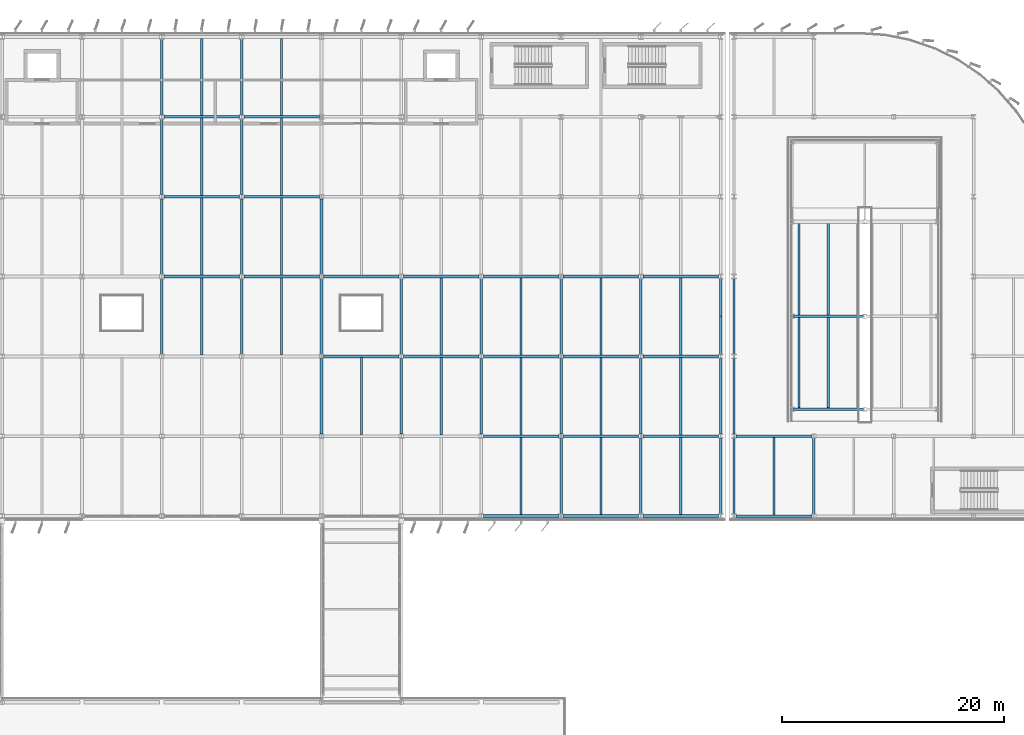
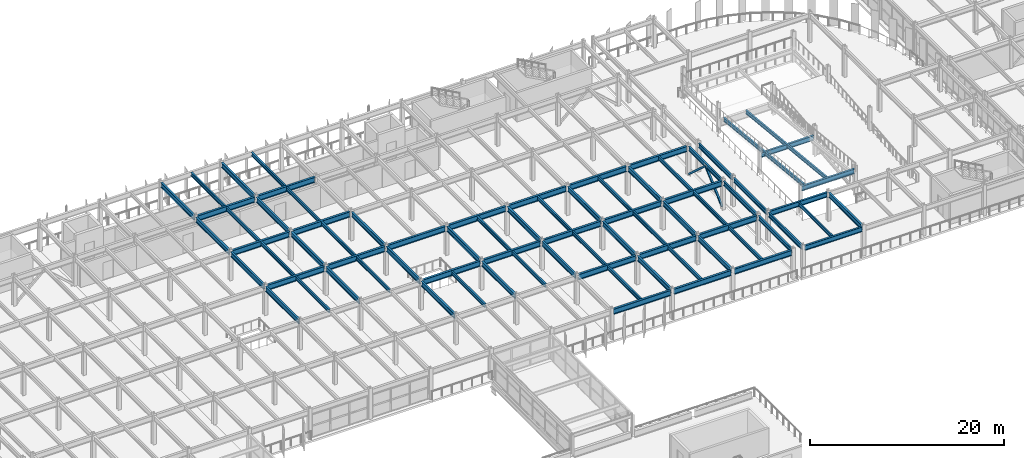
# One storey, part 29 of 93: 77 beams, 2 members.
"""IFC4 building model written with IfcOpenShell, lengths in metres."""

from ifc_helpers import new_model, si_unit, direction, frame, origin, origin_2d, place, context, subcontext, project, spatial, hollow_rectangle, i_section, extrude, material, material_profile, profile_set, type_object, element, save


model = new_model("IFC4")

# Units and contexts
model_context = context("Model", 3, precision=1e-05, world=origin(), true_north=direction((0.0, 1.0)))
body_context = subcontext(model_context, "Body", "Model", "MODEL_VIEW")
ifc_project = project(units=[si_unit("LENGTHUNIT", "METRE"), si_unit("AREAUNIT", "SQUARE_METRE"), si_unit("VOLUMEUNIT", "CUBIC_METRE"), si_unit("PLANEANGLEUNIT", "RADIAN"), si_unit("MASSUNIT", "GRAM", prefix="KILO")], contexts=[model_context])

# Site, building, storey
site_placement = place(None, origin())
site = spatial("IfcSite", under=ifc_project, at=site_placement, CompositionType="ELEMENT")
building_placement = place(site_placement, origin())
building = spatial("IfcBuilding", under=site, at=building_placement, Name="Vaelcorin Mobility Hub", CompositionType="ELEMENT")
storey_placement = place(building_placement, frame((0.0, 0.0, 5.39990234375)))
storey = spatial("IfcBuildingStorey", under=building, at=storey_placement, Name="L01", CompositionType="ELEMENT", Elevation=5.39990234375)

# Beams
ifc_material_1 = material(Name="Steel ASTM A992 Grade 50", Category="steel")
ifc_material_profile_1 = material_profile(ifc_material_1, i_section(OverallWidth=0.152099609375, OverallDepth=0.455078125, WebThickness=0.008056640625, FlangeThickness=0.01318359375, FilletRadius=0.012939453125, at=origin_2d()), Name="W18X40")
ifc_profile_set_1 = profile_set([ifc_material_profile_1], Name="Steel ASTM A992 Grade 50")
beam_type_1 = type_object("IfcBeamType", Name="BM-W18X40", PredefinedType="JOIST", material=ifc_profile_set_1)
beam_1_placement = place(storey_placement, frame((127.199951171875, 76.912109375, 3.423095703125), z_axis=(0.0, 1.0, 0.0), x_axis=(-1.0, 0.0, 0.0)))
element("IfcBeam", 1, at=beam_1_placement, inside=storey, type_object=beam_type_1, Name="L01 Beam V2E-L01-J-01-01-1", PredefinedType="JOIST", context=body_context, shape_type="SweptSolid", body=[
    extrude(i_section(OverallWidth=0.152099609375, OverallDepth=0.455078125, WebThickness=0.008056640625, FlangeThickness=0.01318359375, FilletRadius=0.012939453125, at=origin_2d()), origin(), (0.0, 0.0, 1.0), 6.975830078125),
])
ifc_material_profile_2 = material_profile(ifc_material_1, i_section(OverallWidth=0.19091796875, OverallDepth=0.4599609375, WebThickness=0.010009765625, FlangeThickness=0.01611328125, FilletRadius=0.012939453125, at=origin_2d()), Name="W18X55")
ifc_profile_set_2 = profile_set([ifc_material_profile_2], Name="Steel ASTM A992 Grade 50")
beam_type_2 = type_object("IfcBeamType", Name="BM-W18X55", PredefinedType="JOIST", material=ifc_profile_set_2)
for number, where, z_axis, x_axis, name in (
    (2, (129.449951171875, 103.239990234375, 1.570068359375), (0.0, -0.994876014241, 0.10110250387), (1.0, 0.0, 0.0), "Vehicle Ramp VR-2 L01 Flight 2 Stringer 1"),
    (3, (132.10009765625, 103.239990234375, 1.570068359375), (0.0, -0.994876014241, 0.10110250387), (1.0, 0.0, 0.0), "Vehicle Ramp VR-2 L01 Flight 2 Stringer 2"),
):
    element("IfcBeam", number, at=place(storey_placement, frame(where, z_axis=z_axis, x_axis=x_axis)), inside=storey, type_object=beam_type_2, Name=name, PredefinedType="JOIST", context=body_context, shape_type="SweptSolid", body=[
        extrude(i_section(OverallWidth=0.19091796875, OverallDepth=0.4599609375, WebThickness=0.010009765625, FlangeThickness=0.01611328125, FilletRadius=0.012939453125, at=origin_2d()), origin(), (0.0, 0.0, 1.0), 16.765869140625),
    ])
ifc_material_profile_3 = material_profile(ifc_material_1, i_section(OverallWidth=0.19189453125, OverallDepth=0.4619140625, WebThickness=0.010498046875, FlangeThickness=0.017578125, FilletRadius=0.012939453125, at=origin_2d()), Name="W18X60")
ifc_profile_set_3 = profile_set([ifc_material_profile_3], Name="Steel ASTM A992 Grade 50")
beam_type_3 = type_object("IfcBeamType", Name="BM-W18X60", PredefinedType="JOIST", material=ifc_profile_set_3)
beam_2_placement = place(storey_placement, frame((75.60009765625, 91.324951171875, 3.439208984375), z_axis=(0.0, 1.0, 0.0), x_axis=(-1.0, 0.0, 0.0)))
element("IfcBeam", 4, at=beam_2_placement, inside=storey, type_object=beam_type_3, Name="L01 Beam V4-L01-J-06-03-1", PredefinedType="JOIST", context=body_context, shape_type="SweptSolid", body=[
    extrude(i_section(OverallWidth=0.19189453125, OverallDepth=0.4619140625, WebThickness=0.010498046875, FlangeThickness=0.017578125, FilletRadius=0.012939453125, at=origin_2d()), origin(), (0.0, 0.0, 1.0), 6.949951171875),
])
beam_3_placement = place(storey_placement, frame((75.60009765625, 98.52490234375, 3.439208984375), z_axis=(0.0, 1.0, 0.0), x_axis=(-1.0, 0.0, 0.0)))
element("IfcBeam", 5, at=beam_3_placement, inside=storey, type_object=beam_type_3, Name="L01 Beam V4-L01-J-06-04-1", PredefinedType="JOIST", context=body_context, shape_type="SweptSolid", body=[
    extrude(i_section(OverallWidth=0.19189453125, OverallDepth=0.4619140625, WebThickness=0.010498046875, FlangeThickness=0.017578125, FilletRadius=0.012939453125, at=origin_2d()), origin(), (0.0, 0.0, 1.0), 6.9501953125),
])
for number, where, z_axis, x_axis, name in (
    (6, (75.60009765625, 105.72509765625, 3.439208984375), (0.0, 1.0, 0.0), (-1.0, 0.0, 0.0), "L01 Beam V4-L01-J-06-05-1"),
    (7, (75.60009765625, 112.925048828125, 3.439208984375), (0.0, 1.0, 0.0), (-1.0, 0.0, 0.0), "L01 Beam V4-L01-J-06-06-1"),
    (8, (82.800048828125, 91.324951171875, 3.439208984375), (0.0, 1.0, 0.0), (-1.0, 0.0, 0.0), "L01 Beam V4-L01-J-07-03-1"),
):
    element("IfcBeam", number, at=place(storey_placement, frame(where, z_axis=z_axis, x_axis=x_axis)), inside=storey, type_object=beam_type_3, Name=name, PredefinedType="JOIST", context=body_context, shape_type="SweptSolid", body=[
        extrude(i_section(OverallWidth=0.19189453125, OverallDepth=0.4619140625, WebThickness=0.010498046875, FlangeThickness=0.017578125, FilletRadius=0.012939453125, at=origin_2d()), origin(), (0.0, 0.0, 1.0), 6.949951171875),
    ])
beam_4_placement = place(storey_placement, frame((82.800048828125, 98.52490234375, 3.439208984375), z_axis=(0.0, 1.0, 0.0), x_axis=(-1.0, 0.0, 0.0)))
element("IfcBeam", 9, at=beam_4_placement, inside=storey, type_object=beam_type_3, Name="L01 Beam V4-L01-J-07-04-1", PredefinedType="JOIST", context=body_context, shape_type="SweptSolid", body=[
    extrude(i_section(OverallWidth=0.19189453125, OverallDepth=0.4619140625, WebThickness=0.010498046875, FlangeThickness=0.017578125, FilletRadius=0.012939453125, at=origin_2d()), origin(), (0.0, 0.0, 1.0), 6.9501953125),
])
for number, where, z_axis, x_axis, name in (
    (10, (82.800048828125, 105.72509765625, 3.439208984375), (0.0, 1.0, 0.0), (-1.0, 0.0, 0.0), "L01 Beam V4-L01-J-07-05-1"),
    (11, (82.800048828125, 112.925048828125, 3.439208984375), (0.0, 1.0, 0.0), (-1.0, 0.0, 0.0), "L01 Beam V4-L01-J-07-06-1"),
    (12, (90.0, 84.125, 3.439208984375), (0.0, 1.0, 0.0), (-1.0, 0.0, 0.0), "L01 Beam V4-L01-J-08-02-1"),
    (13, (97.199951171875, 84.125, 3.439208984375), (0.0, 1.0, 0.0), (-1.0, 0.0, 0.0), "L01 Beam V4-L01-J-09-02-1"),
    (14, (97.199951171875, 91.324951171875, 3.439208984375), (0.0, 1.0, 0.0), (-1.0, 0.0, 0.0), "L01 Beam V4-L01-J-09-03-1"),
    (15, (104.39990234375, 76.925048828125, 3.439208984375), (0.0, 1.0, 0.0), (-1.0, 0.0, 0.0), "L01 Beam V4-L01-J-10-01-1"),
    (16, (104.39990234375, 84.125, 3.439208984375), (0.0, 1.0, 0.0), (-1.0, 0.0, 0.0), "L01 Beam V4-L01-J-10-02-1"),
    (17, (104.39990234375, 91.324951171875, 3.439208984375), (0.0, 1.0, 0.0), (-1.0, 0.0, 0.0), "L01 Beam V4-L01-J-10-03-1"),
    (18, (111.60009765625, 76.925048828125, 3.439208984375), (0.0, 1.0, 0.0), (-1.0, 0.0, 0.0), "L01 Beam V4-L01-J-11-01-1"),
    (19, (111.60009765625, 84.125, 3.439208984375), (0.0, 1.0, 0.0), (-1.0, 0.0, 0.0), "L01 Beam V4-L01-J-11-02-1"),
    (20, (111.60009765625, 91.324951171875, 3.439208984375), (0.0, 1.0, 0.0), (-1.0, 0.0, 0.0), "L01 Beam V4-L01-J-11-03-1"),
    (21, (118.800048828125, 76.925048828125, 3.439208984375), (0.0, 1.0, 0.0), (-1.0, 0.0, 0.0), "L01 Beam V4-L01-J-12-01-1"),
    (22, (118.800048828125, 84.125, 3.439208984375), (0.0, 1.0, 0.0), (-1.0, 0.0, 0.0), "L01 Beam V4-L01-J-12-02-1"),
    (23, (118.800048828125, 91.324951171875, 3.439208984375), (0.0, 1.0, 0.0), (-1.0, 0.0, 0.0), "L01 Beam V4-L01-J-12-03-1"),
):
    element("IfcBeam", number, at=place(storey_placement, frame(where, z_axis=z_axis, x_axis=x_axis)), inside=storey, type_object=beam_type_3, Name=name, PredefinedType="JOIST", context=body_context, shape_type="SweptSolid", body=[
        extrude(i_section(OverallWidth=0.19189453125, OverallDepth=0.4619140625, WebThickness=0.010498046875, FlangeThickness=0.017578125, FilletRadius=0.012939453125, at=origin_2d()), origin(), (0.0, 0.0, 1.0), 6.949951171875),
    ])
ifc_material_profile_4 = material_profile(ifc_material_1, i_section(OverallWidth=0.2099609375, OverallDepth=0.535888671875, WebThickness=0.010986328125, FlangeThickness=0.017333984375, FilletRadius=0.013916015625, at=origin_2d()), Name="W21X68")
ifc_profile_set_4 = profile_set([ifc_material_profile_4], Name="Steel ASTM A992 Grade 50")
beam_type_4 = type_object("IfcBeamType", Name="BM-W21X68", PredefinedType="SPANDREL", material=ifc_profile_set_4)
for number, where, z_axis, x_axis, name in (
    (24, (122.39990234375, 76.988037109375, 3.402099609375), (0.0, 1.0, 0.0), (-1.0, 0.0, 0.0), "L01 Beam V4-L01-GY-13-01"),
    (25, (122.39990234375, 84.195068359375, 3.402099609375), (0.0, 1.0, 0.0), (-1.0, 0.0, 0.0), "L01 Beam V4-L01-GY-13-02"),
):
    element("IfcBeam", number, at=place(storey_placement, frame(where, z_axis=z_axis, x_axis=x_axis)), inside=storey, type_object=beam_type_4, Name=name, PredefinedType="SPANDREL", context=body_context, shape_type="SweptSolid", body=[
        extrude(i_section(OverallWidth=0.2099609375, OverallDepth=0.535888671875, WebThickness=0.010986328125, FlangeThickness=0.017333984375, FilletRadius=0.013916015625, at=origin_2d()), origin(), (0.0, 0.0, 1.0), 6.81689453125),
    ])
beam_5_placement = place(storey_placement, frame((122.39990234375, 91.388916015625, 3.402099609375), z_axis=(0.0, 1.0, 0.0), x_axis=(-1.0, 0.0, 0.0)))
element("IfcBeam", 26, at=beam_5_placement, inside=storey, type_object=beam_type_4, Name="L01 Beam V4-L01-GY-13-03", PredefinedType="SPANDREL", context=body_context, shape_type="SweptSolid", body=[
    extrude(i_section(OverallWidth=0.2099609375, OverallDepth=0.535888671875, WebThickness=0.010986328125, FlangeThickness=0.017333984375, FilletRadius=0.013916015625, at=origin_2d()), origin(), (0.0, 0.0, 1.0), 6.822998046875),
])
for number, where, z_axis, x_axis, name in (
    (27, (123.60009765625, 76.98388671875, 3.382080078125), (0.0, 1.0, 0.0), (-1.0, 0.0, 0.0), "L01 Beam V2E-L01-GY-01-01"),
    (28, (123.60009765625, 84.18408203125, 3.382080078125), (0.0, 1.0, 0.0), (-1.0, 0.0, 0.0), "L01 Beam V2E-L01-GY-01-02"),
    (29, (123.60009765625, 91.384033203125, 3.382080078125), (0.0, 1.0, 0.0), (-1.0, 0.0, 0.0), "L01 Beam V2E-L01-GY-01-03"),
):
    element("IfcBeam", number, at=place(storey_placement, frame(where, z_axis=z_axis, x_axis=x_axis)), inside=storey, type_object=beam_type_4, Name=name, PredefinedType="SPANDREL", context=body_context, shape_type="SweptSolid", body=[
        extrude(i_section(OverallWidth=0.2099609375, OverallDepth=0.535888671875, WebThickness=0.010986328125, FlangeThickness=0.017333984375, FilletRadius=0.013916015625, at=origin_2d()), origin(), (0.0, 0.0, 1.0), 6.83203125),
    ])
ifc_material_profile_5 = material_profile(ifc_material_1, i_section(OverallWidth=0.22802734375, OverallDepth=0.60205078125, WebThickness=0.010498046875, FlangeThickness=0.014892578125, FilletRadius=0.014892578125, at=origin_2d()), Name="W24X68")
ifc_profile_set_5 = profile_set([ifc_material_profile_5], Name="Steel ASTM A992 Grade 50")
beam_type_5 = type_object("IfcBeamType", Name="BM-W24X68", PredefinedType="SPANDREL", material=ifc_profile_set_5)
beam_6_placement = place(storey_placement, frame((123.783935546875, 76.800048828125, 3.34912109375), z_axis=(1.0, 0.0, 0.0), x_axis=(0.0, 1.0, 0.0)))
element("IfcBeam", 30, at=beam_6_placement, inside=storey, type_object=beam_type_5, Name="L01 Beam V2E-L01-GX-01-01", PredefinedType="SPANDREL", context=body_context, shape_type="SweptSolid", body=[
    extrude(i_section(OverallWidth=0.22802734375, OverallDepth=0.60205078125, WebThickness=0.010498046875, FlangeThickness=0.014892578125, FilletRadius=0.014892578125, at=origin_2d()), origin(), (0.0, 0.0, 1.0), 6.83203125),
])
ifc_material_profile_6 = material_profile(ifc_material_1, i_section(OverallWidth=0.22900390625, OverallDepth=0.612060546875, WebThickness=0.011962890625, FlangeThickness=0.01953125, FilletRadius=0.014892578125, at=origin_2d()), Name="W24X84")
ifc_profile_set_6 = profile_set([ifc_material_profile_6], Name="Steel ASTM A992 Grade 50")
beam_type_6 = type_object("IfcBeamType", Name="BM-W24X84", PredefinedType="BEAM", material=ifc_profile_set_6)
beam_7_placement = place(storey_placement, frame((72.0, 91.388916015625, 3.364013671875), z_axis=(0.0, 1.0, 0.0), x_axis=(-1.0, 0.0, 0.0)))
element("IfcBeam", 31, at=beam_7_placement, inside=storey, type_object=beam_type_6, Name="L01 Beam V4-L01-GY-06-03", PredefinedType="BEAM", context=body_context, shape_type="SweptSolid", body=[
    extrude(i_section(OverallWidth=0.22900390625, OverallDepth=0.612060546875, WebThickness=0.011962890625, FlangeThickness=0.01953125, FilletRadius=0.014892578125, at=origin_2d()), origin(), (0.0, 0.0, 1.0), 6.822998046875),
])
beam_8_placement = place(storey_placement, frame((72.0, 98.589111328125, 3.364013671875), z_axis=(0.0, 1.0, 0.0), x_axis=(-1.0, 0.0, 0.0)))
element("IfcBeam", 32, at=beam_8_placement, inside=storey, type_object=beam_type_6, Name="L01 Beam V4-L01-GY-06-04", PredefinedType="BEAM", context=body_context, shape_type="SweptSolid", body=[
    extrude(i_section(OverallWidth=0.22900390625, OverallDepth=0.612060546875, WebThickness=0.011962890625, FlangeThickness=0.01953125, FilletRadius=0.014892578125, at=origin_2d()), origin(), (0.0, 0.0, 1.0), 6.82177734375),
])
for number, where, z_axis, x_axis, name in (
    (33, (72.0, 105.7880859375, 3.364013671875), (0.0, 1.0, 0.0), (-1.0, 0.0, 0.0), "L01 Beam V4-L01-GY-06-05"),
    (34, (72.0, 112.9951171875, 3.364013671875), (0.0, 1.0, 0.0), (-1.0, 0.0, 0.0), "L01 Beam V4-L01-GY-06-06"),
):
    element("IfcBeam", number, at=place(storey_placement, frame(where, z_axis=z_axis, x_axis=x_axis)), inside=storey, type_object=beam_type_6, Name=name, PredefinedType="BEAM", context=body_context, shape_type="SweptSolid", body=[
        extrude(i_section(OverallWidth=0.22900390625, OverallDepth=0.612060546875, WebThickness=0.011962890625, FlangeThickness=0.01953125, FilletRadius=0.014892578125, at=origin_2d()), origin(), (0.0, 0.0, 1.0), 6.81689453125),
    ])
beam_9_placement = place(storey_placement, frame((79.199951171875, 91.388916015625, 3.364013671875), z_axis=(0.0, 1.0, 0.0), x_axis=(-1.0, 0.0, 0.0)))
element("IfcBeam", 35, at=beam_9_placement, inside=storey, type_object=beam_type_6, Name="L01 Beam V4-L01-GY-07-03", PredefinedType="BEAM", context=body_context, shape_type="SweptSolid", body=[
    extrude(i_section(OverallWidth=0.22900390625, OverallDepth=0.612060546875, WebThickness=0.011962890625, FlangeThickness=0.01953125, FilletRadius=0.014892578125, at=origin_2d()), origin(), (0.0, 0.0, 1.0), 6.822998046875),
])
beam_10_placement = place(storey_placement, frame((79.199951171875, 98.589111328125, 3.364013671875), z_axis=(0.0, 1.0, 0.0), x_axis=(-1.0, 0.0, 0.0)))
element("IfcBeam", 36, at=beam_10_placement, inside=storey, type_object=beam_type_6, Name="L01 Beam V4-L01-GY-07-04", PredefinedType="BEAM", context=body_context, shape_type="SweptSolid", body=[
    extrude(i_section(OverallWidth=0.22900390625, OverallDepth=0.612060546875, WebThickness=0.011962890625, FlangeThickness=0.01953125, FilletRadius=0.014892578125, at=origin_2d()), origin(), (0.0, 0.0, 1.0), 6.82177734375),
])
for number, where, z_axis, x_axis, name in (
    (37, (79.199951171875, 105.7880859375, 3.364013671875), (0.0, 1.0, 0.0), (-1.0, 0.0, 0.0), "L01 Beam V4-L01-GY-07-05"),
    (38, (79.199951171875, 112.9951171875, 3.364013671875), (0.0, 1.0, 0.0), (-1.0, 0.0, 0.0), "L01 Beam V4-L01-GY-07-06"),
    (39, (86.39990234375, 84.195068359375, 3.364013671875), (0.0, 1.0, 0.0), (-1.0, 0.0, 0.0), "L01 Beam V4-L01-GY-08-02"),
):
    element("IfcBeam", number, at=place(storey_placement, frame(where, z_axis=z_axis, x_axis=x_axis)), inside=storey, type_object=beam_type_6, Name=name, PredefinedType="BEAM", context=body_context, shape_type="SweptSolid", body=[
        extrude(i_section(OverallWidth=0.22900390625, OverallDepth=0.612060546875, WebThickness=0.011962890625, FlangeThickness=0.01953125, FilletRadius=0.014892578125, at=origin_2d()), origin(), (0.0, 0.0, 1.0), 6.81689453125),
    ])
beam_11_placement = place(storey_placement, frame((86.39990234375, 91.388916015625, 3.364013671875), z_axis=(0.0, 1.0, 0.0), x_axis=(-1.0, 0.0, 0.0)))
element("IfcBeam", 40, at=beam_11_placement, inside=storey, type_object=beam_type_6, Name="L01 Beam V4-L01-GY-08-03", PredefinedType="BEAM", context=body_context, shape_type="SweptSolid", body=[
    extrude(i_section(OverallWidth=0.22900390625, OverallDepth=0.612060546875, WebThickness=0.011962890625, FlangeThickness=0.01953125, FilletRadius=0.014892578125, at=origin_2d()), origin(), (0.0, 0.0, 1.0), 6.822998046875),
])
beam_12_placement = place(storey_placement, frame((86.39990234375, 98.589111328125, 3.364013671875), z_axis=(0.0, 1.0, 0.0), x_axis=(-1.0, 0.0, 0.0)))
element("IfcBeam", 41, at=beam_12_placement, inside=storey, type_object=beam_type_6, Name="L01 Beam V4-L01-GY-08-04", PredefinedType="BEAM", context=body_context, shape_type="SweptSolid", body=[
    extrude(i_section(OverallWidth=0.22900390625, OverallDepth=0.612060546875, WebThickness=0.011962890625, FlangeThickness=0.01953125, FilletRadius=0.014892578125, at=origin_2d()), origin(), (0.0, 0.0, 1.0), 6.82177734375),
])
beam_13_placement = place(storey_placement, frame((93.60009765625, 84.195068359375, 3.364013671875), z_axis=(0.0, 1.0, 0.0), x_axis=(-1.0, 0.0, 0.0)))
element("IfcBeam", 42, at=beam_13_placement, inside=storey, type_object=beam_type_6, Name="L01 Beam V4-L01-GY-09-02", PredefinedType="BEAM", context=body_context, shape_type="SweptSolid", body=[
    extrude(i_section(OverallWidth=0.22900390625, OverallDepth=0.612060546875, WebThickness=0.011962890625, FlangeThickness=0.01953125, FilletRadius=0.014892578125, at=origin_2d()), origin(), (0.0, 0.0, 1.0), 6.81689453125),
])
beam_14_placement = place(storey_placement, frame((93.60009765625, 91.388916015625, 3.364013671875), z_axis=(0.0, 1.0, 0.0), x_axis=(-1.0, 0.0, 0.0)))
element("IfcBeam", 43, at=beam_14_placement, inside=storey, type_object=beam_type_6, Name="L01 Beam V4-L01-GY-09-03", PredefinedType="BEAM", context=body_context, shape_type="SweptSolid", body=[
    extrude(i_section(OverallWidth=0.22900390625, OverallDepth=0.612060546875, WebThickness=0.011962890625, FlangeThickness=0.01953125, FilletRadius=0.014892578125, at=origin_2d()), origin(), (0.0, 0.0, 1.0), 6.822998046875),
])
beam_15_placement = place(storey_placement, frame((100.800048828125, 84.195068359375, 3.364013671875), z_axis=(0.0, 1.0, 0.0), x_axis=(-1.0, 0.0, 0.0)))
element("IfcBeam", 44, at=beam_15_placement, inside=storey, type_object=beam_type_6, Name="L01 Beam V4-L01-GY-10-02", PredefinedType="BEAM", context=body_context, shape_type="SweptSolid", body=[
    extrude(i_section(OverallWidth=0.22900390625, OverallDepth=0.612060546875, WebThickness=0.011962890625, FlangeThickness=0.01953125, FilletRadius=0.014892578125, at=origin_2d()), origin(), (0.0, 0.0, 1.0), 6.81689453125),
])
beam_16_placement = place(storey_placement, frame((100.800048828125, 91.388916015625, 3.364013671875), z_axis=(0.0, 1.0, 0.0), x_axis=(-1.0, 0.0, 0.0)))
element("IfcBeam", 45, at=beam_16_placement, inside=storey, type_object=beam_type_6, Name="L01 Beam V4-L01-GY-10-03", PredefinedType="BEAM", context=body_context, shape_type="SweptSolid", body=[
    extrude(i_section(OverallWidth=0.22900390625, OverallDepth=0.612060546875, WebThickness=0.011962890625, FlangeThickness=0.01953125, FilletRadius=0.014892578125, at=origin_2d()), origin(), (0.0, 0.0, 1.0), 6.822998046875),
])
for number, where, z_axis, x_axis, name in (
    (46, (108.0, 76.988037109375, 3.364013671875), (0.0, 1.0, 0.0), (-1.0, 0.0, 0.0), "L01 Beam V4-L01-GY-11-01"),
    (47, (108.0, 84.195068359375, 3.364013671875), (0.0, 1.0, 0.0), (-1.0, 0.0, 0.0), "L01 Beam V4-L01-GY-11-02"),
):
    element("IfcBeam", number, at=place(storey_placement, frame(where, z_axis=z_axis, x_axis=x_axis)), inside=storey, type_object=beam_type_6, Name=name, PredefinedType="BEAM", context=body_context, shape_type="SweptSolid", body=[
        extrude(i_section(OverallWidth=0.22900390625, OverallDepth=0.612060546875, WebThickness=0.011962890625, FlangeThickness=0.01953125, FilletRadius=0.014892578125, at=origin_2d()), origin(), (0.0, 0.0, 1.0), 6.81689453125),
    ])
beam_17_placement = place(storey_placement, frame((108.0, 91.388916015625, 3.364013671875), z_axis=(0.0, 1.0, 0.0), x_axis=(-1.0, 0.0, 0.0)))
element("IfcBeam", 48, at=beam_17_placement, inside=storey, type_object=beam_type_6, Name="L01 Beam V4-L01-GY-11-03", PredefinedType="BEAM", context=body_context, shape_type="SweptSolid", body=[
    extrude(i_section(OverallWidth=0.22900390625, OverallDepth=0.612060546875, WebThickness=0.011962890625, FlangeThickness=0.01953125, FilletRadius=0.014892578125, at=origin_2d()), origin(), (0.0, 0.0, 1.0), 6.822998046875),
])
for number, where, z_axis, x_axis, name in (
    (49, (115.199951171875, 76.988037109375, 3.364013671875), (0.0, 1.0, 0.0), (-1.0, 0.0, 0.0), "L01 Beam V4-L01-GY-12-01"),
    (50, (115.199951171875, 84.195068359375, 3.364013671875), (0.0, 1.0, 0.0), (-1.0, 0.0, 0.0), "L01 Beam V4-L01-GY-12-02"),
):
    element("IfcBeam", number, at=place(storey_placement, frame(where, z_axis=z_axis, x_axis=x_axis)), inside=storey, type_object=beam_type_6, Name=name, PredefinedType="BEAM", context=body_context, shape_type="SweptSolid", body=[
        extrude(i_section(OverallWidth=0.22900390625, OverallDepth=0.612060546875, WebThickness=0.011962890625, FlangeThickness=0.01953125, FilletRadius=0.014892578125, at=origin_2d()), origin(), (0.0, 0.0, 1.0), 6.81689453125),
    ])
beam_18_placement = place(storey_placement, frame((115.199951171875, 91.388916015625, 3.364013671875), z_axis=(0.0, 1.0, 0.0), x_axis=(-1.0, 0.0, 0.0)))
element("IfcBeam", 51, at=beam_18_placement, inside=storey, type_object=beam_type_6, Name="L01 Beam V4-L01-GY-12-03", PredefinedType="BEAM", context=body_context, shape_type="SweptSolid", body=[
    extrude(i_section(OverallWidth=0.22900390625, OverallDepth=0.612060546875, WebThickness=0.011962890625, FlangeThickness=0.01953125, FilletRadius=0.014892578125, at=origin_2d()), origin(), (0.0, 0.0, 1.0), 6.822998046875),
])
for number, where, z_axis, x_axis, name in (
    (52, (123.783935546875, 84.0, 3.343994140625), (1.0, 0.0, 0.0), (0.0, 1.0, 0.0), "L01 Beam V2E-L01-GX-02-01"),
    (53, (130.800048828125, 76.98388671875, 3.343994140625), (0.0, 1.0, 0.0), (-1.0, 0.0, 0.0), "L01 Beam V2E-L01-GY-02-01"),
):
    element("IfcBeam", number, at=place(storey_placement, frame(where, z_axis=z_axis, x_axis=x_axis)), inside=storey, type_object=beam_type_6, Name=name, PredefinedType="BEAM", context=body_context, shape_type="SweptSolid", body=[
        extrude(i_section(OverallWidth=0.22900390625, OverallDepth=0.612060546875, WebThickness=0.011962890625, FlangeThickness=0.01953125, FilletRadius=0.014892578125, at=origin_2d()), origin(), (0.0, 0.0, 1.0), 6.83203125),
    ])
for number, where, z_axis, x_axis, name in (
    (54, (128.97998046875, 94.800048828125, 2.3310546875), (1.0, 0.0, 0.0), (0.0, 1.0, 0.0), "Vehicle Ramp VR-2 L01 Bent Girder F2M"),
    (55, (128.97998046875, 86.449951171875, 3.18017578125), (1.0, 0.0, 0.0), (0.0, 1.0, 0.0), "Vehicle Ramp VR-2 L01 Bent Girder F2S"),
):
    element("IfcBeam", number, at=place(storey_placement, frame(where, z_axis=z_axis, x_axis=x_axis)), inside=storey, type_object=beam_type_6, Name=name, PredefinedType="BEAM", context=body_context, shape_type="SweptSolid", body=[
        extrude(i_section(OverallWidth=0.22900390625, OverallDepth=0.612060546875, WebThickness=0.011962890625, FlangeThickness=0.01953125, FilletRadius=0.014892578125, at=origin_2d()), origin(), (0.0, 0.0, 1.0), 6.2900390625),
    ])
ifc_material_profile_7 = material_profile(ifc_material_1, i_section(OverallWidth=0.25390625, OverallDepth=0.68310546875, WebThickness=0.012451171875, FlangeThickness=0.018798828125, FilletRadius=0.01611328125, at=origin_2d()), Name="W27X94")
ifc_profile_set_7 = profile_set([ifc_material_profile_7], Name="Steel ASTM A992 Grade 50")
beam_type_7 = type_object("IfcBeamType", Name="BM-W27X94", PredefinedType="BEAM", material=ifc_profile_set_7)
for number, where, z_axis, x_axis, name in (
    (56, (100.99609375, 76.800048828125, 3.328125), (1.0, 0.0, 0.0), (0.0, 1.0, 0.0), "L01 Beam V4-L01-GX-01-10"),
    (57, (108.196044921875, 76.800048828125, 3.328125), (1.0, 0.0, 0.0), (0.0, 1.0, 0.0), "L01 Beam V4-L01-GX-01-11"),
):
    element("IfcBeam", number, at=place(storey_placement, frame(where, z_axis=z_axis, x_axis=x_axis)), inside=storey, type_object=beam_type_7, Name=name, PredefinedType="BEAM", context=body_context, shape_type="SweptSolid", body=[
        extrude(i_section(OverallWidth=0.25390625, OverallDepth=0.68310546875, WebThickness=0.012451171875, FlangeThickness=0.018798828125, FilletRadius=0.01611328125, at=origin_2d()), origin(), (0.0, 0.0, 1.0), 6.807861328125),
    ])
beam_19_placement = place(storey_placement, frame((115.39599609375, 76.800048828125, 3.328125), z_axis=(1.0, 0.0, 0.0), x_axis=(0.0, 1.0, 0.0)))
element("IfcBeam", 58, at=beam_19_placement, inside=storey, type_object=beam_type_7, Name="L01 Beam V4-L01-GX-01-12", PredefinedType="BEAM", context=body_context, shape_type="SweptSolid", body=[
    extrude(i_section(OverallWidth=0.25390625, OverallDepth=0.68310546875, WebThickness=0.012451171875, FlangeThickness=0.018798828125, FilletRadius=0.01611328125, at=origin_2d()), origin(), (0.0, 0.0, 1.0), 6.80810546875),
])
for number, where, z_axis, x_axis, name in (
    (59, (100.998046875, 84.0, 3.328125), (1.0, 0.0, 0.0), (0.0, 1.0, 0.0), "L01 Beam V4-L01-GX-02-10"),
    (60, (108.197998046875, 84.0, 3.328125), (1.0, 0.0, 0.0), (0.0, 1.0, 0.0), "L01 Beam V4-L01-GX-02-11"),
    (61, (115.39794921875, 84.0, 3.328125), (1.0, 0.0, 0.0), (0.0, 1.0, 0.0), "L01 Beam V4-L01-GX-02-12"),
):
    element("IfcBeam", number, at=place(storey_placement, frame(where, z_axis=z_axis, x_axis=x_axis)), inside=storey, type_object=beam_type_7, Name=name, PredefinedType="BEAM", context=body_context, shape_type="SweptSolid", body=[
        extrude(i_section(OverallWidth=0.25390625, OverallDepth=0.68310546875, WebThickness=0.012451171875, FlangeThickness=0.018798828125, FilletRadius=0.01611328125, at=origin_2d()), origin(), (0.0, 0.0, 1.0), 6.803955078125),
    ])
for number, where, z_axis, x_axis, name in (
    (62, (86.595947265625, 91.199951171875, 3.328125), (1.0, 0.0, 0.0), (0.0, 1.0, 0.0), "L01 Beam V4-L01-GX-03-08"),
    (63, (93.7958984375, 91.199951171875, 3.328125), (1.0, 0.0, 0.0), (0.0, 1.0, 0.0), "L01 Beam V4-L01-GX-03-09"),
):
    element("IfcBeam", number, at=place(storey_placement, frame(where, z_axis=z_axis, x_axis=x_axis)), inside=storey, type_object=beam_type_7, Name=name, PredefinedType="BEAM", context=body_context, shape_type="SweptSolid", body=[
        extrude(i_section(OverallWidth=0.25390625, OverallDepth=0.68310546875, WebThickness=0.012451171875, FlangeThickness=0.018798828125, FilletRadius=0.01611328125, at=origin_2d()), origin(), (0.0, 0.0, 1.0), 6.80810546875),
    ])
for number, where, z_axis, x_axis, name in (
    (64, (100.99609375, 91.199951171875, 3.328125), (1.0, 0.0, 0.0), (0.0, 1.0, 0.0), "L01 Beam V4-L01-GX-03-10"),
    (65, (108.196044921875, 91.199951171875, 3.328125), (1.0, 0.0, 0.0), (0.0, 1.0, 0.0), "L01 Beam V4-L01-GX-03-11"),
):
    element("IfcBeam", number, at=place(storey_placement, frame(where, z_axis=z_axis, x_axis=x_axis)), inside=storey, type_object=beam_type_7, Name=name, PredefinedType="BEAM", context=body_context, shape_type="SweptSolid", body=[
        extrude(i_section(OverallWidth=0.25390625, OverallDepth=0.68310546875, WebThickness=0.012451171875, FlangeThickness=0.018798828125, FilletRadius=0.01611328125, at=origin_2d()), origin(), (0.0, 0.0, 1.0), 6.807861328125),
    ])
beam_20_placement = place(storey_placement, frame((115.39599609375, 91.199951171875, 3.328125), z_axis=(1.0, 0.0, 0.0), x_axis=(0.0, 1.0, 0.0)))
element("IfcBeam", 66, at=beam_20_placement, inside=storey, type_object=beam_type_7, Name="L01 Beam V4-L01-GX-03-12", PredefinedType="BEAM", context=body_context, shape_type="SweptSolid", body=[
    extrude(i_section(OverallWidth=0.25390625, OverallDepth=0.68310546875, WebThickness=0.012451171875, FlangeThickness=0.018798828125, FilletRadius=0.01611328125, at=origin_2d()), origin(), (0.0, 0.0, 1.0), 6.80810546875),
])
beam_21_placement = place(storey_placement, frame((72.196044921875, 98.39990234375, 3.328125), z_axis=(1.0, 0.0, 0.0), x_axis=(0.0, 1.0, 0.0)))
element("IfcBeam", 67, at=beam_21_placement, inside=storey, type_object=beam_type_7, Name="L01 Beam V4-L01-GX-04-06", PredefinedType="BEAM", context=body_context, shape_type="SweptSolid", body=[
    extrude(i_section(OverallWidth=0.25390625, OverallDepth=0.68310546875, WebThickness=0.012451171875, FlangeThickness=0.018798828125, FilletRadius=0.01611328125, at=origin_2d()), origin(), (0.0, 0.0, 1.0), 6.807861328125),
])
for number, where, z_axis, x_axis, name in (
    (68, (79.39599609375, 98.39990234375, 3.328125), (1.0, 0.0, 0.0), (0.0, 1.0, 0.0), "L01 Beam V4-L01-GX-04-07"),
    (69, (86.595947265625, 98.39990234375, 3.328125), (1.0, 0.0, 0.0), (0.0, 1.0, 0.0), "L01 Beam V4-L01-GX-04-08"),
    (70, (93.7958984375, 98.39990234375, 3.328125), (1.0, 0.0, 0.0), (0.0, 1.0, 0.0), "L01 Beam V4-L01-GX-04-09"),
):
    element("IfcBeam", number, at=place(storey_placement, frame(where, z_axis=z_axis, x_axis=x_axis)), inside=storey, type_object=beam_type_7, Name=name, PredefinedType="BEAM", context=body_context, shape_type="SweptSolid", body=[
        extrude(i_section(OverallWidth=0.25390625, OverallDepth=0.68310546875, WebThickness=0.012451171875, FlangeThickness=0.018798828125, FilletRadius=0.01611328125, at=origin_2d()), origin(), (0.0, 0.0, 1.0), 6.80810546875),
    ])
for number, where, z_axis, x_axis, name in (
    (71, (100.99609375, 98.39990234375, 3.328125), (1.0, 0.0, 0.0), (0.0, 1.0, 0.0), "L01 Beam V4-L01-GX-04-10"),
    (72, (108.196044921875, 98.39990234375, 3.328125), (1.0, 0.0, 0.0), (0.0, 1.0, 0.0), "L01 Beam V4-L01-GX-04-11"),
):
    element("IfcBeam", number, at=place(storey_placement, frame(where, z_axis=z_axis, x_axis=x_axis)), inside=storey, type_object=beam_type_7, Name=name, PredefinedType="BEAM", context=body_context, shape_type="SweptSolid", body=[
        extrude(i_section(OverallWidth=0.25390625, OverallDepth=0.68310546875, WebThickness=0.012451171875, FlangeThickness=0.018798828125, FilletRadius=0.01611328125, at=origin_2d()), origin(), (0.0, 0.0, 1.0), 6.807861328125),
    ])
beam_22_placement = place(storey_placement, frame((115.39599609375, 98.39990234375, 3.328125), z_axis=(1.0, 0.0, 0.0), x_axis=(0.0, 1.0, 0.0)))
element("IfcBeam", 73, at=beam_22_placement, inside=storey, type_object=beam_type_7, Name="L01 Beam V4-L01-GX-04-12", PredefinedType="BEAM", context=body_context, shape_type="SweptSolid", body=[
    extrude(i_section(OverallWidth=0.25390625, OverallDepth=0.68310546875, WebThickness=0.012451171875, FlangeThickness=0.018798828125, FilletRadius=0.01611328125, at=origin_2d()), origin(), (0.0, 0.0, 1.0), 6.80810546875),
])
beam_23_placement = place(storey_placement, frame((72.196044921875, 105.60009765625, 3.328125), z_axis=(1.0, 0.0, 0.0), x_axis=(0.0, 1.0, 0.0)))
element("IfcBeam", 74, at=beam_23_placement, inside=storey, type_object=beam_type_7, Name="L01 Beam V4-L01-GX-05-06", PredefinedType="BEAM", context=body_context, shape_type="SweptSolid", body=[
    extrude(i_section(OverallWidth=0.25390625, OverallDepth=0.68310546875, WebThickness=0.012451171875, FlangeThickness=0.018798828125, FilletRadius=0.01611328125, at=origin_2d()), origin(), (0.0, 0.0, 1.0), 6.807861328125),
])
beam_24_placement = place(storey_placement, frame((79.39599609375, 105.60009765625, 3.328125), z_axis=(1.0, 0.0, 0.0), x_axis=(0.0, 1.0, 0.0)))
element("IfcBeam", 75, at=beam_24_placement, inside=storey, type_object=beam_type_7, Name="L01 Beam V4-L01-GX-05-07", PredefinedType="BEAM", context=body_context, shape_type="SweptSolid", body=[
    extrude(i_section(OverallWidth=0.25390625, OverallDepth=0.68310546875, WebThickness=0.012451171875, FlangeThickness=0.018798828125, FilletRadius=0.01611328125, at=origin_2d()), origin(), (0.0, 0.0, 1.0), 6.80810546875),
])
for number, where, z_axis, x_axis, name in (
    (76, (72.197998046875, 112.800048828125, 3.328125), (1.0, 0.0, 0.0), (0.0, 1.0, 0.0), "L01 Beam V4-L01-GX-06-06"),
    (77, (79.39794921875, 112.800048828125, 3.328125), (1.0, 0.0, 0.0), (0.0, 1.0, 0.0), "L01 Beam V4-L01-GX-06-07"),
):
    element("IfcBeam", number, at=place(storey_placement, frame(where, z_axis=z_axis, x_axis=x_axis)), inside=storey, type_object=beam_type_7, Name=name, PredefinedType="BEAM", context=body_context, shape_type="SweptSolid", body=[
        extrude(i_section(OverallWidth=0.25390625, OverallDepth=0.68310546875, WebThickness=0.012451171875, FlangeThickness=0.018798828125, FilletRadius=0.01611328125, at=origin_2d()), origin(), (0.0, 0.0, 1.0), 6.803955078125),
    ])

# Members
ifc_material_2 = material(Name="Steel ASTM A500 Grade C", Category="steel")
ifc_material_profile_8 = material_profile(ifc_material_2, hollow_rectangle(XDim=0.203125, YDim=0.203125, WallThickness=0.01171875, at=origin_2d()), Name="HSS8X8X0.500")
ifc_profile_set_8 = profile_set([ifc_material_profile_8], Name="Steel ASTM A500 Grade C")
member_type = type_object("IfcMemberType", Name="BR-SCBF-8X8", PredefinedType="BRACE", material=ifc_profile_set_8)
member_1_placement = place(storey_placement, frame((122.39990234375, 91.389892578125, 0.18017578125), z_axis=(0.0, 0.743220060975, 0.669047039426), x_axis=(-1.0, 0.0, 0.0)))
element("IfcMember", 78, at=member_1_placement, inside=storey, type_object=member_type, Name="SCBF Chevron Brace V4-BY2-L01-A", PredefinedType="BRACE", context=body_context, shape_type="SweptSolid", body=[
    extrude(hollow_rectangle(XDim=0.203125, YDim=0.203125, WallThickness=0.01171875, at=origin_2d()), origin(), (0.0, 0.0, 1.0), 4.58837890625),
])
member_2_placement = place(storey_placement, frame((122.39990234375, 98.2099609375, 0.18017578125), z_axis=(0.0, -0.743196242044, 0.669073498064), x_axis=(1.0, 0.0, 0.0)))
element("IfcMember", 79, at=member_2_placement, inside=storey, type_object=member_type, Name="SCBF Chevron Brace V4-BY2-L01-B", PredefinedType="BRACE", context=body_context, shape_type="SweptSolid", body=[
    extrude(hollow_rectangle(XDim=0.203125, YDim=0.203125, WallThickness=0.01171875, at=origin_2d()), origin(), (0.0, 0.0, 1.0), 4.588134765625),
])

save(model, "model.ifc")
